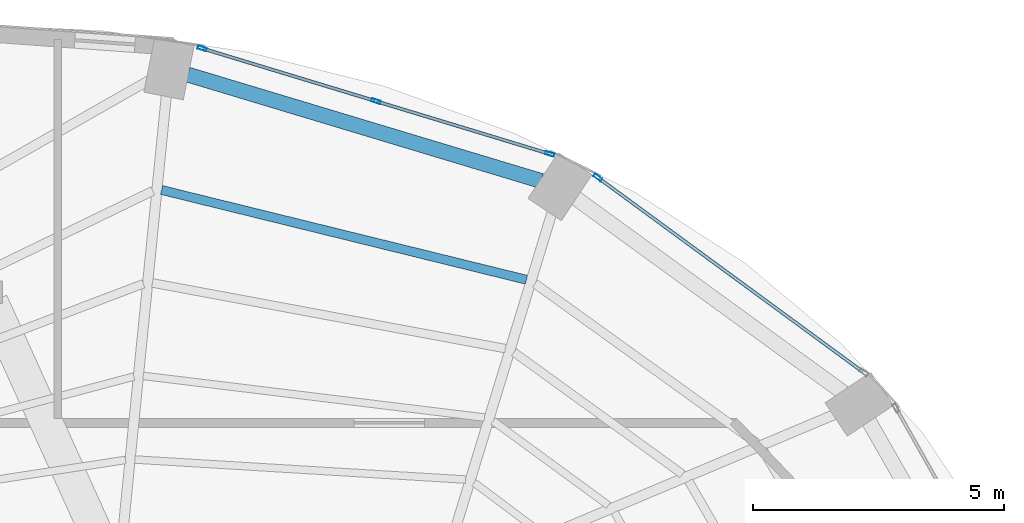
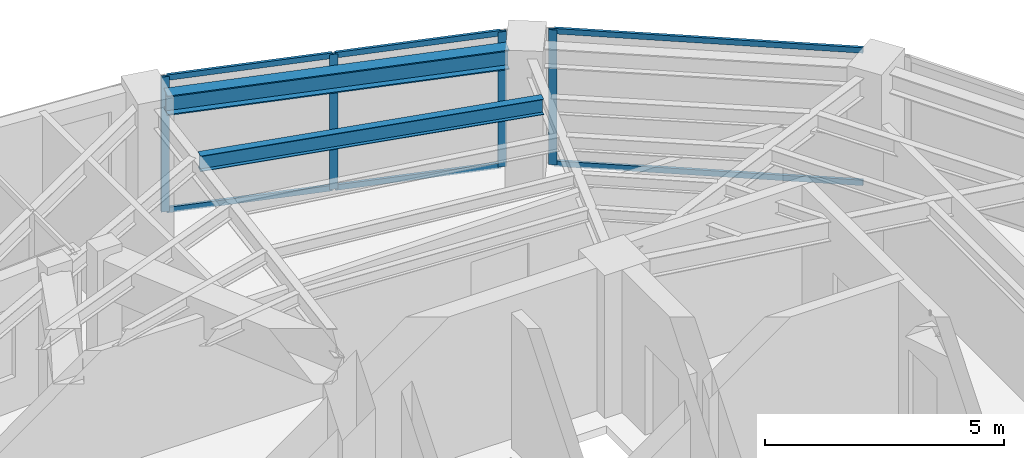
# One storey, part 17 of 22: 10 members, 2 beams, 2 elements without a shape of their own.
"""IFC4 building model written with IfcOpenShell, lengths in metres."""

from ifc_helpers import new_model, si_unit, direction, frame, origin, origin_2d, place, context, subcontext, project, spatial, hollow_rectangle, i_section, extrude, material, layer, layer_set, material_profile, profile_set, type_object, element, aggregate, save


model = new_model("IFC4")

# Units and contexts
model_context = context("Model", 3, precision=1e-05, world=origin(), true_north=direction((0.0, 1.0)))
body_context = subcontext(model_context, "Body", "Model", "MODEL_VIEW")
ifc_project = project(units=[si_unit("LENGTHUNIT", "METRE"), si_unit("AREAUNIT", "SQUARE_METRE"), si_unit("VOLUMEUNIT", "CUBIC_METRE"), si_unit("PLANEANGLEUNIT", "RADIAN"), si_unit("MASSUNIT", "GRAM", prefix="KILO")], contexts=[model_context])

# Site, building, storey
site_placement = place(None, origin())
site = spatial("IfcSite", under=ifc_project, at=site_placement, CompositionType="ELEMENT")
building_placement = place(site_placement, origin())
building = spatial("IfcBuilding", under=site, at=building_placement, Name="Lazwardi Medical Tower", CompositionType="ELEMENT")
storey_placement = place(building_placement, frame((0.0, 0.0, 251.3759765625)))
storey = spatial("IfcBuildingStorey", under=building, at=storey_placement, Name="L65", CompositionType="ELEMENT", Elevation=251.3759765625)

# Beams
ifc_material_1 = material(Name="Steel S355", Category="steel")
ifc_material_profile_1 = material_profile(ifc_material_1, i_section(OverallWidth=0.300048828125, OverallDepth=0.5, WebThickness=0.014404296875, FlangeThickness=0.028076171875, at=origin_2d()), Name="HEB 500")
ifc_profile_set_1 = profile_set([ifc_material_profile_1], Name="Steel S355")
beam_type_1 = type_object("IfcBeamType", Name="BM-RB-Z4", PredefinedType="BEAM", material=ifc_profile_set_1)
beam_1_placement = place(storey_placement, frame((47.626953125, 43.56640625, 3.197998046875), z_axis=(-0.957544311906, 0.288286126506, 0.0), x_axis=(-0.288286126506, -0.957544311906, 0.0)))
element("IfcBeam", 1, at=beam_1_placement, inside=storey, type_object=beam_type_1, Name="Ring beam RB-05 B07 L65", PredefinedType="BEAM", context=body_context, shape_type="SweptSolid", body=[
    extrude(i_section(OverallWidth=0.300048828125, OverallDepth=0.5, WebThickness=0.014404296875, FlangeThickness=0.028076171875, at=origin_2d()), origin(), (0.0, 0.0, 1.0), 7.3515625),
])
ifc_material_profile_2 = material_profile(ifc_material_1, i_section(OverallWidth=0.179931640625, OverallDepth=0.39990234375, WebThickness=0.008544921875, FlangeThickness=0.013427734375, at=origin_2d()), Name="IPE 400")
ifc_profile_set_2 = profile_set([ifc_material_profile_2], Name="Steel S355")
beam_type_2 = type_object("IfcBeamType", Name="BM-SJ-01", PredefinedType="JOIST", material=ifc_profile_set_2)
beam_2_placement = place(storey_placement, frame((47.334228515625, 41.59912109375, 3.248046875), z_axis=(-0.971041669317, 0.238910184904, 0.0), x_axis=(-0.238910184904, -0.971041669317, 0.0)))
element("IfcBeam", 2, at=beam_2_placement, inside=storey, type_object=beam_type_2, Name="Secondary joist SJ-01 R1 B07 L65", PredefinedType="JOIST", context=body_context, shape_type="SweptSolid", body=[
    extrude(i_section(OverallWidth=0.179931640625, OverallDepth=0.39990234375, WebThickness=0.008544921875, FlangeThickness=0.013427734375, at=origin_2d()), origin(), (0.0, 0.0, 1.0), 7.482421875),
])

# Curtain wall, member
ifc_material_2 = material(Name="Anodised bronze aluminium and solar control glazing", Category="aluminium")
ifc_layer = layer(ifc_material_2, 0.18994140625)
ifc_layer_set = layer_set([ifc_layer], Name="Anodised bronze aluminium and solar control glazing")
curtain_wall_type = type_object("IfcCurtainWallType", Name="CW-SYS-04", PredefinedType="NOTDEFINED", material=ifc_layer_set)
curtain_wall_1_placement = place(storey_placement, origin())
curtain_wall_1 = element("IfcCurtainWall", 3, at=curtain_wall_1_placement, inside=storey, type_object=curtain_wall_type, Name="L65 Unitised bronze curtain wall CW-04", PredefinedType="NOTDEFINED")
ifc_material_3 = material(Name="Anodised bronze aluminium", Category="aluminium")
ifc_material_profile_3 = material_profile(ifc_material_3, hollow_rectangle(XDim=0.06494140625, YDim=0.179931640625, WallThickness=0.00390625, at=origin_2d()), Name="ALU-MULLION 180x65x4")
ifc_profile_set_3 = profile_set([ifc_material_profile_3], Name="Anodised bronze aluminium")
member_type_1 = type_object("IfcMemberType", Name="CW-MUL-03", PredefinedType="MULLION", material=ifc_profile_set_3)
member_1_placement = place(storey_placement, frame((48.75537109375, 43.634765625, 0.0), z_axis=(0.0, 0.0, 1.0), x_axis=(-0.591268230971, -0.806474971121, 0.0)))
member_1 = element("IfcMember", 4, at=member_1_placement, type_object=member_type_1, Name="CW-04 mullion 2", PredefinedType="MULLION", context=body_context, shape_type="SweptSolid", body=[
    extrude(hollow_rectangle(XDim=0.06494140625, YDim=0.179931640625, WallThickness=0.00390625, at=origin_2d()), origin(), (0.0, 0.0, 1.0), 3.447998046875),
])

# Curtain wall, members
curtain_wall_2_placement = place(storey_placement, origin())
curtain_wall_2 = element("IfcCurtainWall", 5, at=curtain_wall_2_placement, inside=storey, type_object=curtain_wall_type, Name="L65 Unitised bronze curtain wall CW-04", PredefinedType="NOTDEFINED")
member_2_placement = place(storey_placement, frame((47.7998046875, 44.103515625, 0.0), z_axis=(0.0, 0.0, 1.0), x_axis=(-0.290581889515, -0.956850126972, 0.0)))
member_2 = element("IfcMember", 6, at=member_2_placement, type_object=member_type_1, Name="CW-04 mullion 1", PredefinedType="MULLION", context=body_context, shape_type="SweptSolid", body=[
    extrude(hollow_rectangle(XDim=0.06494140625, YDim=0.179931640625, WallThickness=0.00390625, at=origin_2d()), origin(), (0.0, 0.0, 1.0), 3.447998046875),
])
member_3_placement = place(storey_placement, frame((44.33642578125, 45.1552734375, 0.0), z_axis=(0.0, 0.0, 1.0), x_axis=(-0.290581889515, -0.956850126972, 0.0)))
member_3 = element("IfcMember", 7, at=member_3_placement, type_object=member_type_1, Name="CW-04 mullion 2", PredefinedType="MULLION", context=body_context, shape_type="SweptSolid", body=[
    extrude(hollow_rectangle(XDim=0.06494140625, YDim=0.179931640625, WallThickness=0.00390625, at=origin_2d()), origin(), (0.0, 0.0, 1.0), 3.447998046875),
])
member_4_placement = place(storey_placement, frame((40.873046875, 46.20703125, 0.0), z_axis=(0.0, 0.0, 1.0), x_axis=(-0.290581889515, -0.956850126972, 0.0)))
member_4 = element("IfcMember", 8, at=member_4_placement, type_object=member_type_1, Name="CW-04 mullion 3", PredefinedType="MULLION", context=body_context, shape_type="SweptSolid", body=[
    extrude(hollow_rectangle(XDim=0.06494140625, YDim=0.179931640625, WallThickness=0.00390625, at=origin_2d()), origin(), (0.0, 0.0, 1.0), 3.447998046875),
])

# Member
ifc_material_profile_4 = material_profile(ifc_material_3, hollow_rectangle(XDim=0.06494140625, YDim=0.139892578125, WallThickness=0.00341796875, at=origin_2d()), Name="ALU-TRANSOM 140x65x3.5")
ifc_profile_set_4 = profile_set([ifc_material_profile_4], Name="Anodised bronze aluminium")
member_type_2 = type_object("IfcMemberType", Name="CW-TRN-03", PredefinedType="USERDEFINED", material=ifc_profile_set_4)
member_5_placement = place(storey_placement, frame((54.02587890625, 39.770751953125, 0.032470703125), z_axis=(-0.806471831148, 0.591272513791, 0.0), x_axis=(-0.591272513791, -0.806471831148, 0.0)))
member_5 = element("IfcMember", 9, at=member_5_placement, type_object=member_type_2, Name="CW-04 transom 1.1", ObjectType="TRANSOM", PredefinedType="USERDEFINED", context=body_context, shape_type="SweptSolid", body=[
    extrude(hollow_rectangle(XDim=0.06494140625, YDim=0.139892578125, WallThickness=0.00341796875, at=origin_2d()), origin(), (0.0, 0.0, 1.0), 6.5029296875),
])

member_6_placement = place(storey_placement, frame((54.02587890625, 39.770751953125, 3.41552734375), z_axis=(-0.806471831148, 0.591272513791, 0.0), x_axis=(-0.591272513791, -0.806471831148, 0.0)))
member_6 = element("IfcMember", 10, at=member_6_placement, type_object=member_type_2, Name="CW-04 transom 1.2", ObjectType="TRANSOM", PredefinedType="USERDEFINED", context=body_context, shape_type="SweptSolid", body=[
    extrude(hollow_rectangle(XDim=0.06494140625, YDim=0.139892578125, WallThickness=0.00341796875, at=origin_2d()), origin(), (0.0, 0.0, 1.0), 6.5029296875),
])

aggregate(curtain_wall_1, [member_1, member_5, member_6])

member_7_placement = place(storey_placement, frame((47.7685546875, 44.113037109375, 0.032470703125), z_axis=(-0.956862505902, 0.290541124109, 0.0), x_axis=(-0.290541124109, -0.956862505902, 0.0)))
member_7 = element("IfcMember", 11, at=member_7_placement, type_object=member_type_2, Name="CW-04 transom 1.1", ObjectType="TRANSOM", PredefinedType="USERDEFINED", context=body_context, shape_type="SweptSolid", body=[
    extrude(hollow_rectangle(XDim=0.06494140625, YDim=0.139892578125, WallThickness=0.00341796875, at=origin_2d()), origin(), (0.0, 0.0, 1.0), 3.554443359375),
])

member_8_placement = place(storey_placement, frame((47.7685546875, 44.113037109375, 3.41552734375), z_axis=(-0.956862505902, 0.290541124109, 0.0), x_axis=(-0.290541124109, -0.956862505902, 0.0)))
member_8 = element("IfcMember", 12, at=member_8_placement, type_object=member_type_2, Name="CW-04 transom 1.2", ObjectType="TRANSOM", PredefinedType="USERDEFINED", context=body_context, shape_type="SweptSolid", body=[
    extrude(hollow_rectangle(XDim=0.06494140625, YDim=0.139892578125, WallThickness=0.00341796875, at=origin_2d()), origin(), (0.0, 0.0, 1.0), 3.554443359375),
])

member_9_placement = place(storey_placement, frame((44.305419921875, 45.164794921875, 0.032470703125), z_axis=(-0.956862505902, 0.290541124109, 0.0), x_axis=(-0.290541124109, -0.956862505902, 0.0)))
member_9 = element("IfcMember", 13, at=member_9_placement, type_object=member_type_2, Name="CW-04 transom 2.1", ObjectType="TRANSOM", PredefinedType="USERDEFINED", context=body_context, shape_type="SweptSolid", body=[
    extrude(hollow_rectangle(XDim=0.06494140625, YDim=0.139892578125, WallThickness=0.00341796875, at=origin_2d()), origin(), (0.0, 0.0, 1.0), 3.554443359375),
])

member_10_placement = place(storey_placement, frame((44.305419921875, 45.164794921875, 3.41552734375), z_axis=(-0.956862505902, 0.290541124109, 0.0), x_axis=(-0.290541124109, -0.956862505902, 0.0)))
member_10 = element("IfcMember", 14, at=member_10_placement, type_object=member_type_2, Name="CW-04 transom 2.2", ObjectType="TRANSOM", PredefinedType="USERDEFINED", context=body_context, shape_type="SweptSolid", body=[
    extrude(hollow_rectangle(XDim=0.06494140625, YDim=0.139892578125, WallThickness=0.00341796875, at=origin_2d()), origin(), (0.0, 0.0, 1.0), 3.554443359375),
])

aggregate(curtain_wall_2, [member_2, member_3, member_4, member_7, member_8, member_9, member_10])

save(model, "model.ifc")
